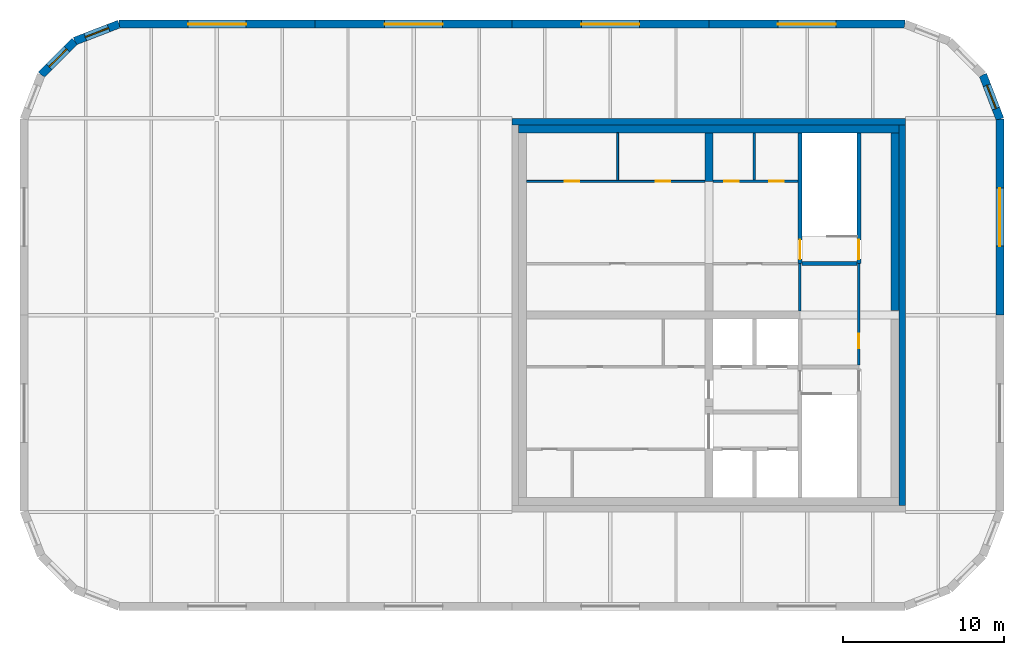
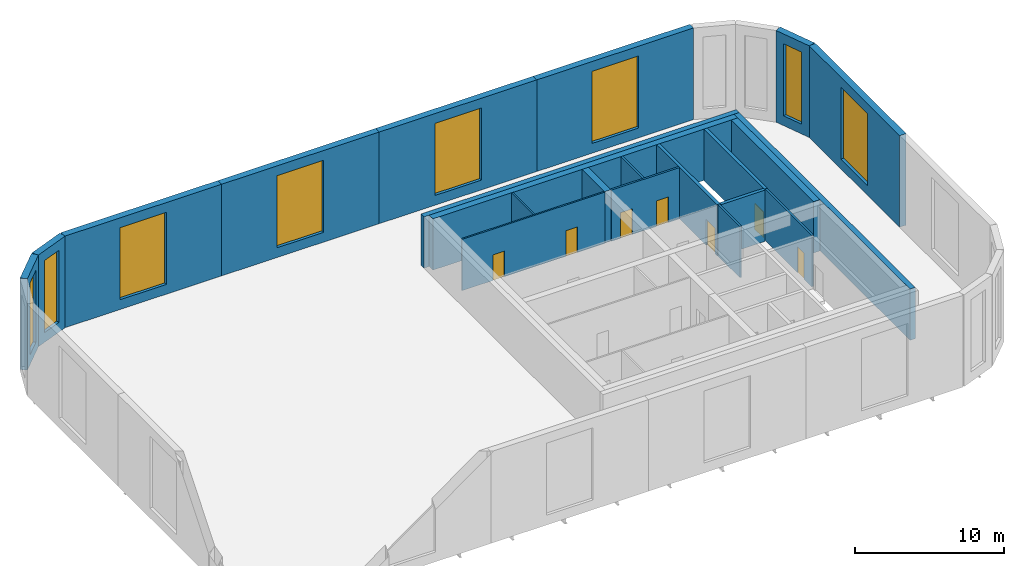
# One storey, part 4 of 6: 22 walls, 8 windows, 7 doors, 15 openings.
"""IFC4 building model written with IfcOpenShell, lengths in metres."""

from ifc_helpers import new_model, si_unit, direction, frame, frame_2d, origin, place, context, subcontext, project, spatial, polyline, rectangle, outline, extrude, faceted_brep, source, transform, mapped, material, layer, layer_set, type_object, element, fill, save


model = new_model("IFC4")

# Units and contexts
model_context = context("Model", 3, precision=1e-05, world=origin(), true_north=direction((0.0, 1.0)))
body_context = subcontext(model_context, "Body", "Model", "MODEL_VIEW")
ifc_project = project(units=[si_unit("LENGTHUNIT", "METRE"), si_unit("AREAUNIT", "SQUARE_METRE"), si_unit("VOLUMEUNIT", "CUBIC_METRE"), si_unit("PLANEANGLEUNIT", "RADIAN"), si_unit("MASSUNIT", "GRAM", prefix="KILO")], contexts=[model_context])

# Site, building, storey
site_placement = place(None, origin())
site = spatial("IfcSite", under=ifc_project, at=site_placement, CompositionType="ELEMENT")
building_placement = place(site_placement, origin())
building = spatial("IfcBuilding", under=site, at=building_placement, Name="Tessera Gate Towers", CompositionType="ELEMENT")
storey_placement = place(building_placement, frame((0.0, 0.0, 265.699951171875)))
storey = spatial("IfcBuildingStorey", under=building, at=storey_placement, Name="L66", CompositionType="ELEMENT", Elevation=265.699951171875)

# Wall, opening, door
ifc_material_1 = material(Name="Concrete C40/50", Category="concrete")
ifc_layer_1 = layer(ifc_material_1, 0.25)
ifc_layer_set_1 = layer_set([ifc_layer_1], Name="CORE ENCLOSURE WALL 250")
wall_type_1 = type_object("IfcWallType", Name="CORE ENCLOSURE WALL 250", PredefinedType="SOLIDWALL", material=ifc_layer_set_1)
wall_1_placement = place(storey_placement, frame((48.35009765625, 47.89990234375, 0.0), z_axis=(0.0, 0.0, 1.0), x_axis=(0.0, -1.0, 0.0)))
wall_1 = element("IfcWall", 1, at=wall_1_placement, inside=storey, type_object=wall_type_1, Name="L66 shaft and stair enclosure wall", PredefinedType="SOLIDWALL", context=body_context, shape_type="SweptSolid", body=[
    extrude(rectangle(XDim=8.099853515625, YDim=0.25, at=frame_2d((4.0498046875, 0.0))), origin(), (0.0, 0.0, 1.0), 4.199951171875),
])
shared_shape_1 = source(origin(), body_context, "Body", "SweptSolid", [
    extrude(rectangle(XDim=1.199951171875, YDim=2.10009765625, at=frame_2d((0.60009765625, 1.050048828125))), frame((0.0, 0.135009765625, 0.0), z_axis=(0.0, -1.0, 0.0), x_axis=(1.0, 0.0, 0.0)), (0.0, 0.0, 1.0), 0.27001953125),
])
opening_1_placement = place(wall_1_placement, frame((6.625, 0.0, 0.0)))
opening_1 = element("IfcOpeningElement", 2, at=opening_1_placement, cuts=wall_1, Name="Opening SD-ST2-1", PredefinedType="OPENING", context=body_context, shape_type="MappedRepresentation", body=[
    mapped(shared_shape_1, transform((0.0, 0.0, 0.0), scale=1.0)),
])
ifc_material_2 = material(Name="Hollow steel fire door", Category="steel")
door_type_1 = type_object("IfcDoorType", Name="CORE DOOR SD 1200x2100", OperationType="NOTDEFINED", PredefinedType="DOOR", material=ifc_material_2)
shared_shape_2 = source(origin(), body_context, "Body", "SweptSolid", [
    extrude(rectangle(XDim=1.199951171875, YDim=2.10009765625, at=frame_2d((0.60009765625, 1.050048828125))), frame((0.0, 0.02490234375, 0.0), z_axis=(0.0, -1.0, 0.0), x_axis=(1.0, 0.0, 0.0)), (0.0, 0.0, 1.0), 0.050048828125),
])
door_1_placement = place(opening_1_placement, origin())
door_1 = element("IfcDoor", 3, at=door_1_placement, inside=storey, type_object=door_type_1, Name="Stair door", OperationType="SINGLE_SWING_RIGHT", OverallHeight=2.10009765625, OverallWidth=1.199951171875, PredefinedType="DOOR", context=body_context, shape_type="MappedRepresentation", body=[
    mapped(shared_shape_2, transform((0.0, 0.0, 0.0), scale=1.0)),
])
fill(opening_1, door_1)

wall_2_placement = place(storey_placement, frame((52.0, 39.800048828125, 0.0), z_axis=(0.0, 0.0, 1.0), x_axis=(0.0, 1.0, 0.0)))
wall_2 = element("IfcWall", 4, at=wall_2_placement, inside=storey, type_object=wall_type_1, Name="L66 shaft and stair enclosure wall", PredefinedType="SOLIDWALL", context=body_context, shape_type="SweptSolid", body=[
    extrude(rectangle(XDim=8.099853515625, YDim=0.25, at=frame_2d((4.0498046875, 0.0))), origin(), (0.0, 0.0, 1.0), 4.199951171875),
])
opening_2_placement = place(wall_2_placement, frame((0.27490234375, 0.0, 0.0)))
opening_2 = element("IfcOpeningElement", 5, at=opening_2_placement, cuts=wall_2, Name="Opening SD-ST2-2", PredefinedType="OPENING", context=body_context, shape_type="MappedRepresentation", body=[
    mapped(shared_shape_1, transform((0.0, 0.0, 0.0), scale=1.0)),
])
door_2_placement = place(opening_2_placement, origin())
door_2 = element("IfcDoor", 6, at=door_2_placement, inside=storey, type_object=door_type_1, Name="Stair door", OperationType="SINGLE_SWING_LEFT", OverallHeight=2.10009765625, OverallWidth=1.199951171875, PredefinedType="DOOR", context=body_context, shape_type="MappedRepresentation", body=[
    mapped(shared_shape_2, transform((0.0, 0.0, 0.0), scale=1.0)),
])
fill(opening_2, door_2)

# Wall
wall_3_placement = place(storey_placement, frame((48.47509765625, 39.800048828125, 0.0), z_axis=(0.0, 0.0, 1.0), x_axis=(1.0, 0.0, 0.0)))
element("IfcWall", 7, at=wall_3_placement, inside=storey, type_object=wall_type_1, Name="L66 shaft and stair enclosure wall", PredefinedType="SOLIDWALL", context=body_context, shape_type="SweptSolid", body=[
    extrude(rectangle(XDim=3.39990234375, YDim=0.25, at=frame_2d((1.699951171875, 0.0))), origin(), (0.0, 0.0, 1.0), 4.199951171875),
])

# Wall, openings, doors
ifc_material_3 = material(Name="Gypsum board on steel studs", Category="steel")
ifc_layer_2 = layer(ifc_material_3, 0.1201171875)
ifc_layer_set_2 = layer_set([ifc_layer_2], Name="CORE PARTITION 120")
wall_type_2 = type_object("IfcWallType", Name="CORE PARTITION 120", PredefinedType="PARTITIONING", material=ifc_layer_set_2)
wall_4_placement = place(storey_placement, frame((31.39990234375, 44.89990234375, 0.0), z_axis=(0.0, 0.0, 1.0), x_axis=(1.0, 0.0, 0.0)))
wall_4 = element("IfcWall", 8, at=wall_4_placement, inside=storey, type_object=wall_type_2, Name="L66 core partition", PredefinedType="PARTITIONING", context=body_context, shape_type="SweptSolid", body=[
    extrude(rectangle(XDim=11.050048828125, YDim=0.1201171875, at=frame_2d((5.52490234375, 0.0))), origin(), (0.0, 0.0, 1.0), 4.199951171875),
])
shared_shape_3 = source(origin(), body_context, "Body", "SweptSolid", [
    extrude(rectangle(XDim=0.89990234375, YDim=2.10009765625, at=frame_2d((0.449951171875, 1.050048828125))), frame((0.0, 0.070068359375, 0.0), z_axis=(0.0, -1.0, 0.0), x_axis=(1.0, 0.0, 0.0)), (0.0, 0.0, 1.0), 0.14013671875),
])
opening_3_placement = place(wall_4_placement, frame((2.375, 0.0, 0.0)))
opening_3 = element("IfcOpeningElement", 9, at=opening_3_placement, cuts=wall_4, Name="Opening RD-T1-40-08", PredefinedType="OPENING", context=body_context, shape_type="MappedRepresentation", body=[
    mapped(shared_shape_3, transform((0.0, 0.0, 0.0), scale=1.0)),
])
opening_4_placement = place(wall_4_placement, frame((8.02490234375, 0.0, 0.0)))
opening_4 = element("IfcOpeningElement", 10, at=opening_4_placement, cuts=wall_4, Name="Opening RD-T1-40-09", PredefinedType="OPENING", context=body_context, shape_type="MappedRepresentation", body=[
    mapped(shared_shape_3, transform((0.0, 0.0, 0.0), scale=1.0)),
])
ifc_material_4 = material(Name="Hollow steel fire door", Category="steel")
door_type_2 = type_object("IfcDoorType", Name="CORE DOOR RD 900x2100", OperationType="NOTDEFINED", PredefinedType="DOOR", material=ifc_material_4)
shared_shape_4 = source(origin(), body_context, "Body", "SweptSolid", [
    extrude(rectangle(XDim=0.89990234375, YDim=2.10009765625, at=frame_2d((0.449951171875, 1.050048828125))), frame((0.0, 0.02490234375, 0.0), z_axis=(0.0, -1.0, 0.0), x_axis=(1.0, 0.0, 0.0)), (0.0, 0.0, 1.0), 0.050048828125),
])
door_3_placement = place(opening_3_placement, origin())
door_3 = element("IfcDoor", 11, at=door_3_placement, inside=storey, type_object=door_type_2, Name="Core room door", OperationType="SINGLE_SWING_LEFT", OverallHeight=2.10009765625, OverallWidth=0.89990234375, PredefinedType="DOOR", context=body_context, shape_type="MappedRepresentation", body=[
    mapped(shared_shape_4, transform((0.0, 0.0, 0.0), scale=1.0)),
])
fill(opening_3, door_3)
door_4_placement = place(opening_4_placement, origin())
door_4 = element("IfcDoor", 12, at=door_4_placement, inside=storey, type_object=door_type_2, Name="Core room door", OperationType="SINGLE_SWING_RIGHT", OverallHeight=2.10009765625, OverallWidth=0.89990234375, PredefinedType="DOOR", context=body_context, shape_type="MappedRepresentation", body=[
    mapped(shared_shape_4, transform((0.0, 0.0, 0.0), scale=1.0)),
])
fill(opening_4, door_4)

# Walls
wall_5_placement = place(storey_placement, frame((37.050048828125, 44.9599609375, 0.0), z_axis=(0.0, 0.0, 1.0), x_axis=(0.0, 1.0, 0.0)))
element("IfcWall", 13, at=wall_5_placement, inside=storey, type_object=wall_type_2, Name="L66 core partition", PredefinedType="PARTITIONING", context=body_context, shape_type="SweptSolid", body=[
    extrude(rectangle(XDim=2.93994140625, YDim=0.1201171875, at=frame_2d((1.469970703125, 0.0))), origin(), (0.0, 0.0, 1.0), 4.199951171875),
])
ifc_material_5 = material(Name="Concrete C40/50", Category="concrete")
ifc_layer_3 = layer(ifc_material_5, 0.39990234375)
ifc_layer_set_3 = layer_set([ifc_layer_3], Name="CORE SHEAR WALL 400 C40/50")
wall_type_3 = type_object("IfcWallType", Name="CORE SHEAR WALL 400 C40/50", PredefinedType="SHEAR", material=ifc_layer_set_3)
wall_6_placement = place(storey_placement, frame((30.5, 48.60009765625, 0.0), z_axis=(0.0, 0.0, 1.0), x_axis=(1.0, 0.0, 0.0)))
element("IfcWall", 14, at=wall_6_placement, inside=storey, type_object=wall_type_3, Name="Core wall N L66", PredefinedType="SHEAR", context=body_context, shape_type="SweptSolid", body=[
    extrude(rectangle(XDim=24.39990234375, YDim=0.39990234375, at=frame_2d((12.199951171875, 0.0))), origin(), (0.0, 0.0, 1.0), 4.199951171875),
])
wall_7_placement = place(storey_placement, frame((54.699951171875, 48.39990234375, 0.0), z_axis=(0.0, 0.0, 1.0), x_axis=(0.0, -1.0, 0.0)))
element("IfcWall", 15, at=wall_7_placement, inside=storey, type_object=wall_type_3, Name="Core wall E L66", PredefinedType="SHEAR", context=body_context, shape_type="SweptSolid", body=[
    extrude(rectangle(XDim=23.599853515625, YDim=0.39990234375, at=frame_2d((11.7998046875, 0.0))), origin(), (0.0, 0.0, 1.0), 4.199951171875),
])
ifc_material_6 = material(Name="Concrete C40/50", Category="concrete")
ifc_layer_4 = layer(ifc_material_6, 0.5)
ifc_layer_set_4 = layer_set([ifc_layer_4], Name="CORE SPINE WALL 500 C40/50")
wall_type_4 = type_object("IfcWallType", Name="CORE SPINE WALL 500 C40/50", PredefinedType="SHEAR", material=ifc_layer_set_4)
wall_8_placement = place(storey_placement, frame((42.699951171875, 44.89990234375, 0.0), z_axis=(0.0, 0.0, 1.0), x_axis=(0.0, 1.0, 0.0)))
element("IfcWall", 16, at=wall_8_placement, inside=storey, type_object=wall_type_4, Name="Core wall spine L66", PredefinedType="SHEAR", context=body_context, shape_type="SweptSolid", body=[
    extrude(rectangle(XDim=3.0, YDim=0.5, at=frame_2d((1.5, 0.0))), origin(), (0.0, 0.0, 1.0), 4.199951171875),
])
ifc_material_7 = material(Name="Concrete C40/50", Category="concrete")
ifc_layer_5 = layer(ifc_material_7, 0.5)
ifc_layer_set_5 = layer_set([ifc_layer_5], Name="CORE WALL THICKENING 500")
wall_type_5 = type_object("IfcWallType", Name="CORE WALL THICKENING 500", PredefinedType="SOLIDWALL", material=ifc_layer_set_5)
wall_9_placement = place(storey_placement, frame((30.89990234375, 48.14990234375, 0.0), z_axis=(0.0, 0.0, 1.0), x_axis=(1.0, 0.0, 0.0)))
element("IfcWall", 17, at=wall_9_placement, inside=storey, type_object=wall_type_5, Name="Core wall thickening N L66", PredefinedType="SOLIDWALL", context=body_context, shape_type="SweptSolid", body=[
    extrude(rectangle(XDim=23.60009765625, YDim=0.5, at=frame_2d((11.800048828125, 0.0))), origin(), (0.0, 0.0, 1.0), 4.199951171875),
])
wall_10_placement = place(storey_placement, frame((54.25, 36.8798828125, 0.0), z_axis=(0.0, 0.0, 1.0), x_axis=(0.0, 1.0, 0.0)))
element("IfcWall", 18, at=wall_10_placement, inside=storey, type_object=wall_type_5, Name="Core wall thickening E L66", PredefinedType="SOLIDWALL", context=body_context, shape_type="SweptSolid", body=[
    extrude(rectangle(XDim=11.02001953125, YDim=0.5, at=frame_2d((5.510009765625, 0.0))), origin(), (0.0, 0.0, 1.0), 4.199951171875),
])

# Wall, opening, door
ifc_material_8 = material(Name="Gypsum board on steel studs", Category="steel")
ifc_layer_6 = layer(ifc_material_8, 0.14990234375)
ifc_layer_set_6 = layer_set([ifc_layer_6], Name="SERVICE ROOM WALL 150")
wall_type_6 = type_object("IfcWallType", Name="SERVICE ROOM WALL 150", PredefinedType="PARTITIONING", material=ifc_layer_set_6)
wall_11_placement = place(storey_placement, frame((52.0, 33.52490234375, 0.0), z_axis=(0.0, 0.0, 1.0), x_axis=(0.0, 1.0, 0.0)))
wall_11 = element("IfcWall", 19, at=wall_11_placement, inside=storey, type_object=wall_type_6, Name="L66 service room wall", PredefinedType="PARTITIONING", context=body_context, shape_type="SweptSolid", body=[
    extrude(rectangle(XDim=6.275146484375, YDim=0.14990234375, at=frame_2d((3.1376953125, 0.0))), origin(), (0.0, 0.0, 1.0), 4.199951171875),
])
shared_shape_5 = source(origin(), body_context, "Body", "SweptSolid", [
    extrude(rectangle(XDim=0.89990234375, YDim=2.10009765625, at=frame_2d((0.449951171875, 1.050048828125))), frame((0.0, 0.0849609375, 0.0), z_axis=(0.0, -1.0, 0.0), x_axis=(1.0, 0.0, 0.0)), (0.0, 0.0, 1.0), 0.169921875),
])
opening_5_placement = place(wall_11_placement, frame((1.02490234375, 0.0, 0.0)))
opening_5 = element("IfcOpeningElement", 20, at=opening_5_placement, cuts=wall_11, Name="Opening RD-T1-40-10", PredefinedType="OPENING", context=body_context, shape_type="MappedRepresentation", body=[
    mapped(shared_shape_5, transform((0.0, 0.0, 0.0), scale=1.0)),
])
door_5_placement = place(opening_5_placement, origin())
door_5 = element("IfcDoor", 21, at=door_5_placement, inside=storey, type_object=door_type_2, Name="Core room door", OperationType="SINGLE_SWING_LEFT", OverallHeight=2.10009765625, OverallWidth=0.89990234375, PredefinedType="DOOR", context=body_context, shape_type="MappedRepresentation", body=[
    mapped(shared_shape_4, transform((0.0, 0.0, 0.0), scale=1.0)),
])
fill(opening_5, door_5)

# Wall, openings, doors
wall_12_placement = place(storey_placement, frame((42.949951171875, 44.89990234375, 0.0), z_axis=(0.0, 0.0, 1.0), x_axis=(1.0, 0.0, 0.0)))
wall_12 = element("IfcWall", 22, at=wall_12_placement, inside=storey, type_object=wall_type_6, Name="L66 service room wall", PredefinedType="PARTITIONING", context=body_context, shape_type="SweptSolid", body=[
    extrude(rectangle(XDim=5.275146484375, YDim=0.14990234375, at=frame_2d((2.6376953125, 0.0))), origin(), (0.0, 0.0, 1.0), 4.199951171875),
])
opening_6_placement = place(wall_12_placement, frame((0.71240234375, 0.0, 0.0)))
opening_6 = element("IfcOpeningElement", 23, at=opening_6_placement, cuts=wall_12, Name="Opening RD-T1-40-12", PredefinedType="OPENING", context=body_context, shape_type="MappedRepresentation", body=[
    mapped(shared_shape_5, transform((0.0, 0.0, 0.0), scale=1.0)),
])
opening_7_placement = place(wall_12_placement, frame((3.5, 0.0, 0.0)))
opening_7 = element("IfcOpeningElement", 24, at=opening_7_placement, cuts=wall_12, Name="Opening RD-T1-40-13", PredefinedType="OPENING", context=body_context, shape_type="MappedRepresentation", body=[
    mapped(shared_shape_5, transform((0.0, 0.0, 0.0), scale=1.0)),
])
door_6_placement = place(opening_6_placement, origin())
door_6 = element("IfcDoor", 25, at=door_6_placement, inside=storey, type_object=door_type_2, Name="Core room door", OperationType="SINGLE_SWING_LEFT", OverallHeight=2.10009765625, OverallWidth=0.89990234375, PredefinedType="DOOR", context=body_context, shape_type="MappedRepresentation", body=[
    mapped(shared_shape_4, transform((0.0, 0.0, 0.0), scale=1.0)),
])
fill(opening_6, door_6)
door_7_placement = place(opening_7_placement, origin())
door_7 = element("IfcDoor", 26, at=door_7_placement, inside=storey, type_object=door_type_2, Name="Core room door", OperationType="SINGLE_SWING_RIGHT", OverallHeight=2.10009765625, OverallWidth=0.89990234375, PredefinedType="DOOR", context=body_context, shape_type="MappedRepresentation", body=[
    mapped(shared_shape_4, transform((0.0, 0.0, 0.0), scale=1.0)),
])
fill(opening_7, door_7)

# Walls
wall_13_placement = place(storey_placement, frame((48.35009765625, 36.85009765625, 0.0), z_axis=(0.0, 0.0, 1.0), x_axis=(0.0, 1.0, 0.0)))
element("IfcWall", 27, at=wall_13_placement, inside=storey, type_object=wall_type_6, Name="L66 service room wall", PredefinedType="PARTITIONING", context=body_context, shape_type="SweptSolid", body=[
    extrude(rectangle(XDim=2.949951171875, YDim=0.14990234375, at=frame_2d((1.47509765625, 0.0))), origin(), (0.0, 0.0, 1.0), 4.199951171875),
])
wall_14_placement = place(storey_placement, frame((45.52490234375, 44.97509765625, 0.0), z_axis=(0.0, 0.0, 1.0), x_axis=(0.0, 1.0, 0.0)))
element("IfcWall", 28, at=wall_14_placement, inside=storey, type_object=wall_type_6, Name="L66 service room wall", PredefinedType="PARTITIONING", context=body_context, shape_type="SweptSolid", body=[
    extrude(rectangle(XDim=2.9248046875, YDim=0.14990234375, at=frame_2d((1.46240234375, 0.0))), origin(), (0.0, 0.0, 1.0), 4.199951171875),
])

# Wall, opening, window
ifc_material_9 = material(Name="Precast concrete C60/75 white", Category="concrete")
ifc_layer_7 = layer(ifc_material_9, 0.5)
ifc_layer_set_7 = layer_set([ifc_layer_7], Name="RB1 ring band panel")
wall_type_7 = type_object("IfcWallType", Name="RB1 ring band panel", PredefinedType="SOLIDWALL", material=ifc_layer_set_7)
shared_shape_6 = source(origin(), body_context, "Body", "Brep", [
    faceted_brep([(0.0, -0.25, 0.0), (12.153564453125, -0.25, 0.0), (12.153564453125, -0.25, 7.5), (0.0, -0.25, 7.5), (0.046630859375, 0.25, 7.5), (12.153564453125, 0.25, 7.5), (12.153564453125, 0.25, 0.0), (0.046630859375, 0.25, 0.0), (0.0, 0.0, 0.0), (0.0, 0.0, 7.5)], [[[0, 1, 2, 3]], [[4, 5, 6, 7]], [[7, 6, 1, 0, 8]], [[5, 4, 9, 3, 2]], [[8, 0, 3, 9]], [[7, 8, 9, 4]], [[1, 6, 5, 2]]]),
])
wall_15_placement = place(storey_placement, frame((54.853515625, 54.64990234375, 0.0), z_axis=(0.0, 0.0, 1.0), x_axis=(-1.0, 0.0, 0.0)))
wall_15 = element("IfcWall", 29, at=wall_15_placement, inside=storey, type_object=wall_type_7, Name="Ring band panel T1 RB1-0534", PredefinedType="SOLIDWALL", context=body_context, shape_type="MappedRepresentation", body=[
    mapped(shared_shape_6, transform((0.0, 0.0, 0.0), scale=1.0)),
])
shared_shape_7 = source(origin(), body_context, "Body", "SweptSolid", [
    extrude(outline(polyline([(4.276611328125, 0.800048828125), (7.876708984375, 0.800048828125), (7.876708984375, 6.699951171875), (4.276611328125, 6.699951171875), (4.276611328125, 0.800048828125)])), frame((0.0, 0.260009765625, 0.0), z_axis=(0.0, -1.0, 0.0), x_axis=(1.0, 0.0, 0.0)), (0.0, 0.0, 1.0), 0.52001953125),
])
opening_8_placement = place(wall_15_placement, origin())
opening_8 = element("IfcOpeningElement", 30, at=opening_8_placement, cuts=wall_15, Name="Opening T1-WN-LV1-0109", PredefinedType="OPENING", context=body_context, shape_type="MappedRepresentation", body=[
    mapped(shared_shape_7, transform((0.0, 0.0, 0.0), scale=1.0)),
])
ifc_material_10 = material(Name="Aluminium louvre", Category="aluminium")
ifc_layer_8 = layer(ifc_material_10, 0.06005859375)
ifc_layer_set_8 = layer_set([ifc_layer_8], Name="LV1 louvre")
window_type = type_object("IfcWindowType", Name="LV1 louvre", PartitioningType="USERDEFINED", PredefinedType="WINDOW", material=ifc_layer_set_8)
shared_shape_8 = source(origin(), body_context, "Body", "SweptSolid", [
    extrude(outline(polyline([(4.276611328125, 0.800048828125), (7.876708984375, 0.800048828125), (7.876708984375, 6.699951171875), (4.276611328125, 6.699951171875), (4.276611328125, 0.800048828125)])), frame((0.0, 0.030029296875, 0.0), z_axis=(0.0, -1.0, 0.0), x_axis=(1.0, 0.0, 0.0)), (0.0, 0.0, 1.0), 0.06005859375),
])
window_1_placement = place(opening_8_placement, origin())
window_1 = element("IfcWindow", 31, at=window_1_placement, inside=storey, type_object=window_type, Name="Louvre T1 WN-LV1-0109", OverallHeight=5.89990234375, OverallWidth=3.60009765625, PartitioningType="USERDEFINED", PredefinedType="WINDOW", context=body_context, shape_type="MappedRepresentation", body=[
    mapped(shared_shape_8, transform((0.0, 0.0, 0.0), scale=1.0)),
])
fill(opening_8, window_1)

shared_shape_9 = source(origin(), body_context, "Body", "SweptSolid", [
    extrude(outline(polyline([(0.0, 0.0), (12.199951171875, 0.0), (12.199951171875, 7.5), (0.0, 7.5), (0.0, 0.0)])), frame((0.0, 0.25, 0.0), z_axis=(0.0, -1.0, 0.0), x_axis=(1.0, 0.0, 0.0)), (0.0, 0.0, 1.0), 0.5),
])
wall_16_placement = place(storey_placement, frame((42.699951171875, 54.64990234375, 0.0), z_axis=(0.0, 0.0, 1.0), x_axis=(-1.0, 0.0, 0.0)))
wall_16 = element("IfcWall", 32, at=wall_16_placement, inside=storey, type_object=wall_type_7, Name="Ring band panel T1 RB1-0535", PredefinedType="SOLIDWALL", context=body_context, shape_type="MappedRepresentation", body=[
    mapped(shared_shape_9, transform((0.0, 0.0, 0.0), scale=1.0)),
])
shared_shape_10 = source(origin(), body_context, "Body", "SweptSolid", [
    extrude(outline(polyline([(4.300048828125, 0.800048828125), (7.89990234375, 0.800048828125), (7.89990234375, 6.699951171875), (4.300048828125, 6.699951171875), (4.300048828125, 0.800048828125)])), frame((0.0, 0.260009765625, 0.0), z_axis=(0.0, -1.0, 0.0), x_axis=(1.0, 0.0, 0.0)), (0.0, 0.0, 1.0), 0.52001953125),
])
opening_9_placement = place(wall_16_placement, origin())
opening_9 = element("IfcOpeningElement", 33, at=opening_9_placement, cuts=wall_16, Name="Opening T1-WN-LV1-0110", PredefinedType="OPENING", context=body_context, shape_type="MappedRepresentation", body=[
    mapped(shared_shape_10, transform((0.0, 0.0, 0.0), scale=1.0)),
])
shared_shape_11 = source(origin(), body_context, "Body", "SweptSolid", [
    extrude(outline(polyline([(4.300048828125, 0.800048828125), (7.89990234375, 0.800048828125), (7.89990234375, 6.699951171875), (4.300048828125, 6.699951171875), (4.300048828125, 0.800048828125)])), frame((0.0, 0.030029296875, 0.0), z_axis=(0.0, -1.0, 0.0), x_axis=(1.0, 0.0, 0.0)), (0.0, 0.0, 1.0), 0.06005859375),
])
window_2_placement = place(opening_9_placement, origin())
window_2 = element("IfcWindow", 34, at=window_2_placement, inside=storey, type_object=window_type, Name="Louvre T1 WN-LV1-0110", OverallHeight=5.89990234375, OverallWidth=3.599853515625, PartitioningType="USERDEFINED", PredefinedType="WINDOW", context=body_context, shape_type="MappedRepresentation", body=[
    mapped(shared_shape_11, transform((0.0, 0.0, 0.0), scale=1.0)),
])
fill(opening_9, window_2)

wall_17_placement = place(storey_placement, frame((30.5, 54.64990234375, 0.0), z_axis=(0.0, 0.0, 1.0), x_axis=(-1.0, 0.0, 0.0)))
wall_17 = element("IfcWall", 35, at=wall_17_placement, inside=storey, type_object=wall_type_7, Name="Ring band panel T1 RB1-0536", PredefinedType="SOLIDWALL", context=body_context, shape_type="MappedRepresentation", body=[
    mapped(shared_shape_9, transform((0.0, 0.0, 0.0), scale=1.0)),
])
opening_10_placement = place(wall_17_placement, origin())
opening_10 = element("IfcOpeningElement", 36, at=opening_10_placement, cuts=wall_17, Name="Opening T1-WN-LV1-0111", PredefinedType="OPENING", context=body_context, shape_type="MappedRepresentation", body=[
    mapped(shared_shape_10, transform((0.0, 0.0, 0.0), scale=1.0)),
])
window_3_placement = place(opening_10_placement, origin())
window_3 = element("IfcWindow", 37, at=window_3_placement, inside=storey, type_object=window_type, Name="Louvre T1 WN-LV1-0111", OverallHeight=5.89990234375, OverallWidth=3.599853515625, PartitioningType="USERDEFINED", PredefinedType="WINDOW", context=body_context, shape_type="MappedRepresentation", body=[
    mapped(shared_shape_11, transform((0.0, 0.0, 0.0), scale=1.0)),
])
fill(opening_10, window_3)

shared_shape_12 = source(origin(), body_context, "Body", "Brep", [
    faceted_brep([(0.0, -0.25, 0.0), (12.153564453125, -0.25, 0.0), (12.153564453125, -0.25, 7.5), (0.0, -0.25, 7.5), (0.0, 0.25, 7.5), (12.10693359375, 0.25, 7.5), (12.10693359375, 0.25, 0.0), (0.0, 0.25, 0.0), (12.153564453125, -0.00048828125, 0.0), (12.153564453125, -0.00048828125, 7.5)], [[[0, 1, 2, 3]], [[4, 5, 6, 7]], [[7, 6, 8, 1, 0]], [[9, 2, 1, 8]], [[5, 4, 3, 2, 9]], [[4, 7, 0, 3]], [[8, 6, 5, 9]]]),
])
wall_18_placement = place(storey_placement, frame((60.75, 36.60009765625, 0.0), z_axis=(0.0, 0.0, 1.0), x_axis=(0.0, 1.0, 0.0)))
wall_18 = element("IfcWall", 38, at=wall_18_placement, inside=storey, type_object=wall_type_7, Name="Ring band panel T1 RB1-0530", PredefinedType="SOLIDWALL", context=body_context, shape_type="MappedRepresentation", body=[
    mapped(shared_shape_12, transform((0.0, 0.0, 0.0), scale=1.0)),
])
opening_11_placement = place(wall_18_placement, origin())
opening_11 = element("IfcOpeningElement", 39, at=opening_11_placement, cuts=wall_18, Name="Opening T1-WN-LV1-0105", PredefinedType="OPENING", context=body_context, shape_type="MappedRepresentation", body=[
    mapped(shared_shape_7, transform((0.0, 0.0, 0.0), scale=1.0)),
])
window_4_placement = place(opening_11_placement, origin())
window_4 = element("IfcWindow", 40, at=window_4_placement, inside=storey, type_object=window_type, Name="Louvre T1 WN-LV1-0105", OverallHeight=5.89990234375, OverallWidth=3.60009765625, PartitioningType="USERDEFINED", PredefinedType="WINDOW", context=body_context, shape_type="MappedRepresentation", body=[
    mapped(shared_shape_8, transform((0.0, 0.0, 0.0), scale=1.0)),
])
fill(opening_11, window_4)

wall_19_placement = place(storey_placement, frame((18.300048828125, 54.64990234375, 0.0), z_axis=(0.0, 0.0, 1.0), x_axis=(-1.0, 0.0, 0.0)))
wall_19 = element("IfcWall", 41, at=wall_19_placement, inside=storey, type_object=wall_type_7, Name="Ring band panel T1 RB1-0537", PredefinedType="SOLIDWALL", context=body_context, shape_type="MappedRepresentation", body=[
    mapped(shared_shape_12, transform((0.0, 0.0, 0.0), scale=1.0)),
])
opening_12_placement = place(wall_19_placement, origin())
opening_12 = element("IfcOpeningElement", 42, at=opening_12_placement, cuts=wall_19, Name="Opening T1-WN-LV1-0112", PredefinedType="OPENING", context=body_context, shape_type="MappedRepresentation", body=[
    mapped(shared_shape_7, transform((0.0, 0.0, 0.0), scale=1.0)),
])
window_5_placement = place(opening_12_placement, origin())
window_5 = element("IfcWindow", 43, at=window_5_placement, inside=storey, type_object=window_type, Name="Louvre T1 WN-LV1-0112", OverallHeight=5.89990234375, OverallWidth=3.60009765625, PartitioningType="USERDEFINED", PredefinedType="WINDOW", context=body_context, shape_type="MappedRepresentation", body=[
    mapped(shared_shape_8, transform((0.0, 0.0, 0.0), scale=1.0)),
])
fill(opening_12, window_5)

shared_shape_13 = source(origin(), body_context, "Body", "Brep", [
    faceted_brep([(0.0, -0.25, 0.0), (2.950439453125, -0.25, 0.0), (2.950439453125, -0.25, 7.5), (0.0, -0.25, 7.5), (0.046630859375, 0.25, 7.5), (2.897705078125, 0.25, 7.5), (2.897705078125, 0.25, 0.0), (0.046630859375, 0.25, 0.0), (2.950439453125, 0.00048828125, 0.0), (0.0, 0.0, 0.0), (2.950439453125, 0.00048828125, 7.5), (0.0, 0.0, 7.5)], [[[0, 1, 2, 3]], [[4, 5, 6, 7]], [[7, 6, 8, 1, 0, 9]], [[10, 2, 1, 8]], [[5, 4, 11, 3, 2, 10]], [[9, 0, 3, 11]], [[7, 9, 11, 4]], [[8, 6, 5, 10]]]),
])
wall_20_placement = place(storey_placement, frame((60.75, 48.75341796875, 0.0), z_axis=(0.0, 0.0, 1.0), x_axis=(-0.359877213415, 0.932999673775, 0.0)))
wall_20 = element("IfcWall", 44, at=wall_20_placement, inside=storey, type_object=wall_type_7, Name="Ring band panel T1 RB1-0531", PredefinedType="SOLIDWALL", context=body_context, shape_type="MappedRepresentation", body=[
    mapped(shared_shape_13, transform((0.0, 0.0, 0.0), scale=1.0)),
])
shared_shape_14 = source(origin(), body_context, "Body", "SweptSolid", [
    extrude(outline(polyline([(0.699951171875, 0.800048828125), (2.25048828125, 0.800048828125), (2.25048828125, 6.699951171875), (0.699951171875, 6.699951171875), (0.699951171875, 0.800048828125)])), frame((0.0, 0.260009765625, 0.0), z_axis=(0.0, -1.0, 0.0), x_axis=(1.0, 0.0, 0.0)), (0.0, 0.0, 1.0), 0.52001953125),
])
opening_13_placement = place(wall_20_placement, origin())
opening_13 = element("IfcOpeningElement", 45, at=opening_13_placement, cuts=wall_20, Name="Opening T1-WN-LV1-0106", PredefinedType="OPENING", context=body_context, shape_type="MappedRepresentation", body=[
    mapped(shared_shape_14, transform((0.0, 0.0, 0.0), scale=1.0)),
])
shared_shape_15 = source(origin(), body_context, "Body", "SweptSolid", [
    extrude(outline(polyline([(0.699951171875, 0.800048828125), (2.25048828125, 0.800048828125), (2.25048828125, 6.699951171875), (0.699951171875, 6.699951171875), (0.699951171875, 0.800048828125)])), frame((0.0, 0.030029296875, 0.0), z_axis=(0.0, -1.0, 0.0), x_axis=(1.0, 0.0, 0.0)), (0.0, 0.0, 1.0), 0.06005859375),
])
window_6_placement = place(opening_13_placement, origin())
window_6 = element("IfcWindow", 46, at=window_6_placement, inside=storey, type_object=window_type, Name="Louvre T1 WN-LV1-0106", OverallHeight=5.89990234375, OverallWidth=1.550537109375, PartitioningType="USERDEFINED", PredefinedType="WINDOW", context=body_context, shape_type="MappedRepresentation", body=[
    mapped(shared_shape_15, transform((0.0, 0.0, 0.0), scale=1.0)),
])
fill(opening_13, window_6)

wall_21_placement = place(storey_placement, frame((6.146484375, 54.64990234375, 0.0), z_axis=(0.0, 0.0, 1.0), x_axis=(-0.932999673775, -0.359877213415, 0.0)))
wall_21 = element("IfcWall", 47, at=wall_21_placement, inside=storey, type_object=wall_type_7, Name="Ring band panel T1 RB1-0538", PredefinedType="SOLIDWALL", context=body_context, shape_type="MappedRepresentation", body=[
    mapped(shared_shape_13, transform((0.0, 0.0, 0.0), scale=1.0)),
])
opening_14_placement = place(wall_21_placement, origin())
opening_14 = element("IfcOpeningElement", 48, at=opening_14_placement, cuts=wall_21, Name="Opening T1-WN-LV1-0113", PredefinedType="OPENING", context=body_context, shape_type="MappedRepresentation", body=[
    mapped(shared_shape_14, transform((0.0, 0.0, 0.0), scale=1.0)),
])
window_7_placement = place(opening_14_placement, origin())
window_7 = element("IfcWindow", 49, at=window_7_placement, inside=storey, type_object=window_type, Name="Louvre T1 WN-LV1-0113", OverallHeight=5.89990234375, OverallWidth=1.550537109375, PartitioningType="USERDEFINED", PredefinedType="WINDOW", context=body_context, shape_type="MappedRepresentation", body=[
    mapped(shared_shape_15, transform((0.0, 0.0, 0.0), scale=1.0)),
])
fill(opening_14, window_7)

shared_shape_16 = source(origin(), body_context, "Body", "Brep", [
    faceted_brep([(0.0, -0.25, 0.0), (2.944091796875, -0.25, 0.0), (2.944091796875, -0.25, 7.5), (0.0, -0.25, 7.5), (0.052978515625, 0.25, 7.5), (2.89111328125, 0.25, 7.5), (2.89111328125, 0.25, 0.0), (0.052978515625, 0.25, 0.0), (2.944091796875, 0.000244140625, 0.0), (0.0, 0.0, 0.0), (2.944091796875, 0.000244140625, 7.5), (0.0, 0.0, 7.5)], [[[0, 1, 2, 3]], [[4, 5, 6, 7]], [[7, 6, 8, 1, 0, 9]], [[10, 2, 1, 8]], [[5, 4, 11, 3, 2, 10]], [[9, 0, 3, 11]], [[7, 9, 11, 4]], [[8, 6, 5, 10]]]),
])
wall_22_placement = place(storey_placement, frame((3.393798828125, 53.588134765625, 0.0), z_axis=(0.0, 0.0, 1.0), x_axis=(-0.707106781187, -0.707106781187, 0.0)))
wall_22 = element("IfcWall", 50, at=wall_22_placement, inside=storey, type_object=wall_type_7, Name="Ring band panel T1 RB1-0539", PredefinedType="SOLIDWALL", context=body_context, shape_type="MappedRepresentation", body=[
    mapped(shared_shape_16, transform((0.0, 0.0, 0.0), scale=1.0)),
])
shared_shape_17 = source(origin(), body_context, "Body", "SweptSolid", [
    extrude(outline(polyline([(0.699951171875, 0.800048828125), (2.244140625, 0.800048828125), (2.244140625, 6.699951171875), (0.699951171875, 6.699951171875), (0.699951171875, 0.800048828125)])), frame((0.0, 0.260009765625, 0.0), z_axis=(0.0, -1.0, 0.0), x_axis=(1.0, 0.0, 0.0)), (0.0, 0.0, 1.0), 0.52001953125),
])
opening_15_placement = place(wall_22_placement, origin())
opening_15 = element("IfcOpeningElement", 51, at=opening_15_placement, cuts=wall_22, Name="Opening T1-WN-LV1-0114", PredefinedType="OPENING", context=body_context, shape_type="MappedRepresentation", body=[
    mapped(shared_shape_17, transform((0.0, 0.0, 0.0), scale=1.0)),
])
shared_shape_18 = source(origin(), body_context, "Body", "SweptSolid", [
    extrude(outline(polyline([(0.699951171875, 0.800048828125), (2.244140625, 0.800048828125), (2.244140625, 6.699951171875), (0.699951171875, 6.699951171875), (0.699951171875, 0.800048828125)])), frame((0.0, 0.030029296875, 0.0), z_axis=(0.0, -1.0, 0.0), x_axis=(1.0, 0.0, 0.0)), (0.0, 0.0, 1.0), 0.06005859375),
])
window_8_placement = place(opening_15_placement, origin())
window_8 = element("IfcWindow", 52, at=window_8_placement, inside=storey, type_object=window_type, Name="Louvre T1 WN-LV1-0114", OverallHeight=5.89990234375, OverallWidth=1.544189453125, PartitioningType="USERDEFINED", PredefinedType="WINDOW", context=body_context, shape_type="MappedRepresentation", body=[
    mapped(shared_shape_18, transform((0.0, 0.0, 0.0), scale=1.0)),
])
fill(opening_15, window_8)

save(model, "model.ifc")
